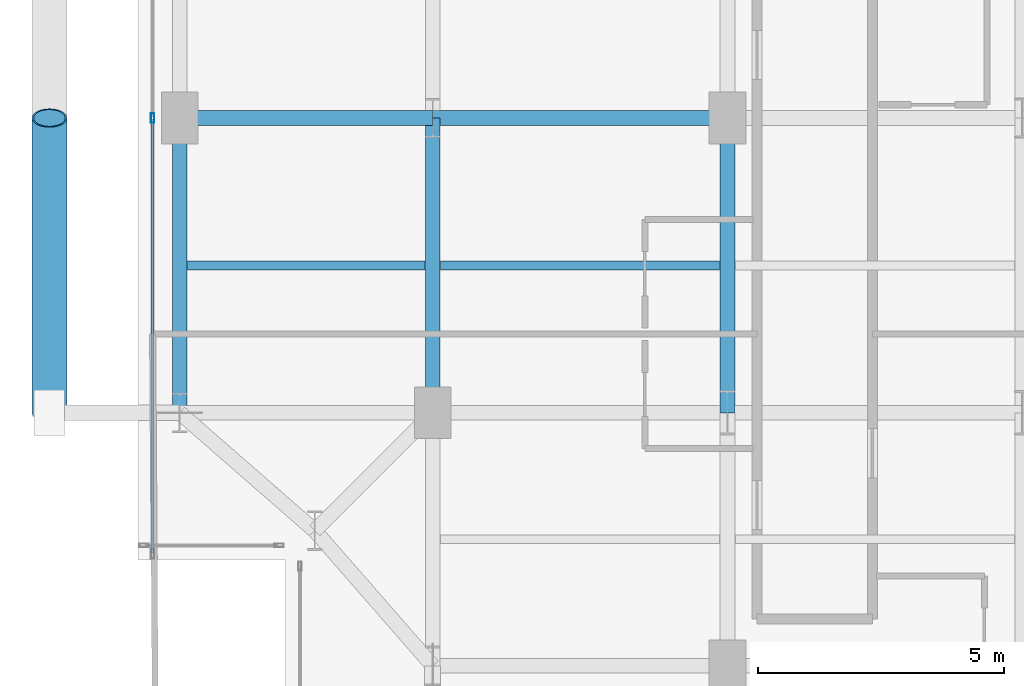
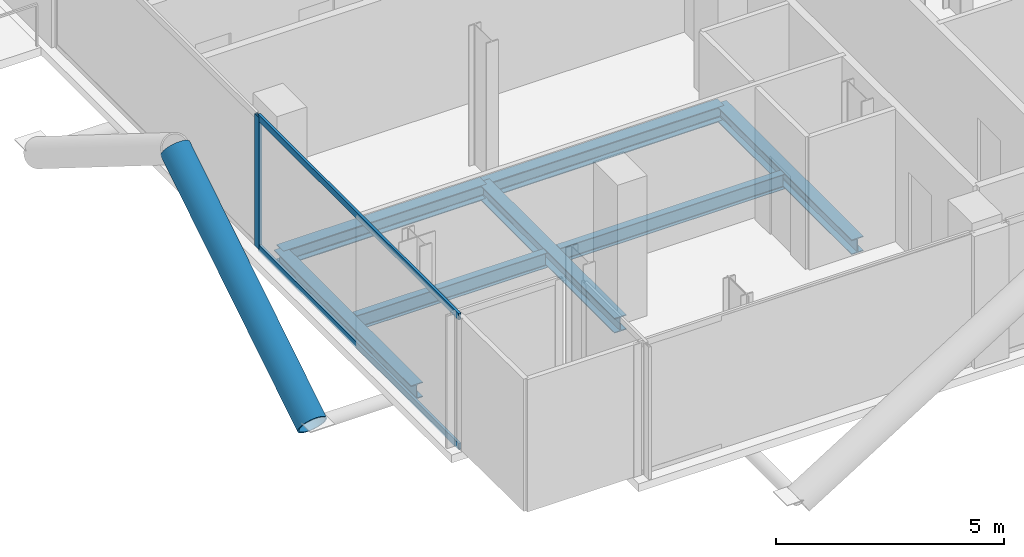
# One storey, part 3 of 25: 7 beams, 4 members, 1 element without a shape of its own.
"""IFC4 building model written with IfcOpenShell, lengths in metres."""

from ifc_helpers import new_model, si_unit, direction, frame, origin, origin_2d, place, context, subcontext, project, spatial, hollow_rectangle, hollow_circle, i_section, extrude, material, layer, layer_set, material_profile, profile_set, type_object, element, aggregate, save


model = new_model("IFC4")

# Units and contexts
model_context = context("Model", 3, precision=1e-05, world=origin(), true_north=direction((0.0, 1.0)))
body_context = subcontext(model_context, "Body", "Model", "MODEL_VIEW")
ifc_project = project(units=[si_unit("LENGTHUNIT", "METRE"), si_unit("AREAUNIT", "SQUARE_METRE"), si_unit("VOLUMEUNIT", "CUBIC_METRE"), si_unit("PLANEANGLEUNIT", "RADIAN"), si_unit("MASSUNIT", "GRAM", prefix="KILO"), si_unit("THERMODYNAMICTEMPERATUREUNIT", "KELVIN"), si_unit("POWERUNIT", "WATT")], contexts=[model_context])

# Site, building, storey
site_placement = place(None, origin())
site = spatial("IfcSite", under=ifc_project, at=site_placement, CompositionType="ELEMENT")
building_placement = place(site_placement, origin())
building = spatial("IfcBuilding", under=site, at=building_placement, Name="Svarakhadi Broadcast Tower", CompositionType="ELEMENT")
storey_placement = place(building_placement, frame((0.0, 0.0, 212.39990234375)))
storey = spatial("IfcBuildingStorey", under=building, at=storey_placement, Name="L52", CompositionType="ELEMENT", Elevation=212.39990234375)

# Beams
ifc_material_1 = material(Name="Steel S355J2 (IS 2062 E350C)", Category="steel")
ifc_material_profile_1 = material_profile(ifc_material_1, i_section(OverallWidth=0.179931640625, OverallDepth=0.39990234375, WebThickness=0.008544921875, FlangeThickness=0.013427734375, FilletRadius=0.02099609375, at=origin_2d()), Name="NPB 400x180x66")
ifc_profile_set_1 = profile_set([ifc_material_profile_1], Name="Steel S355J2 (IS 2062 E350C)")
beam_type_1 = type_object("IfcBeamType", Name="Beam_NPB400", PredefinedType="BEAM", material=ifc_profile_set_1)
beam_1_placement = place(storey_placement, frame((1.010009765625, 9.0, -0.409912109375), z_axis=(1.0, 0.0, 0.0), x_axis=(0.0, 1.0, 0.0)))
element("IfcBeam", 1, at=beam_1_placement, inside=storey, type_object=beam_type_1, Name="L52 Secondary Composite Beam SB001", PredefinedType="BEAM", context=body_context, shape_type="SweptSolid", body=[
    extrude(i_section(OverallWidth=0.179931640625, OverallDepth=0.39990234375, WebThickness=0.008544921875, FlangeThickness=0.013427734375, FilletRadius=0.02099609375, at=origin_2d()), origin(), (0.0, 0.0, 1.0), 4.830078125),
])
beam_2_placement = place(storey_placement, frame((6.159912109375, 9.0, -0.409912109375), z_axis=(1.0, 0.0, 0.0), x_axis=(0.0, 1.0, 0.0)))
element("IfcBeam", 2, at=beam_2_placement, inside=storey, type_object=beam_type_1, Name="L52 Secondary Composite Beam SB006", PredefinedType="BEAM", context=body_context, shape_type="SweptSolid", body=[
    extrude(i_section(OverallWidth=0.179931640625, OverallDepth=0.39990234375, WebThickness=0.008544921875, FlangeThickness=0.013427734375, FilletRadius=0.02099609375, at=origin_2d()), origin(), (0.0, 0.0, 1.0), 5.68017578125),
])

# Curtain wall, members
ifc_material_2 = material(Name="Anodised Bronze Aluminium AA 6063-T6", Category="aluminium")
ifc_layer = layer(ifc_material_2, 0.18994140625)
ifc_layer_set = layer_set([ifc_layer], Name="Anodised Bronze Aluminium AA 6063-T6")
curtain_wall_type = type_object("IfcCurtainWallType", Name="CW_Sys_04", PredefinedType="NOTDEFINED", material=ifc_layer_set)
curtain_wall_placement = place(storey_placement, origin())
curtain_wall = element("IfcCurtainWall", 3, at=curtain_wall_placement, inside=storey, type_object=curtain_wall_type, Name="L52 West Curtain Wall 02", PredefinedType="NOTDEFINED")
ifc_material_profile_2 = material_profile(ifc_material_2, hollow_rectangle(XDim=0.070068359375, YDim=0.18994140625, WallThickness=0.005615234375, at=origin_2d()), Name="ALU MULLION 190x70x6")
ifc_profile_set_2 = profile_set([ifc_material_profile_2], Name="Anodised Bronze Aluminium AA 6063-T6")
member_type_1 = type_object("IfcMemberType", Name="CW_Sys_04_Mul", PredefinedType="MULLION", material=ifc_profile_set_2)
member_1_placement = place(storey_placement, frame((0.300048828125, 12.0, 0.0), z_axis=(0.0, 0.0, 1.0), x_axis=(-1.0, 0.0, 0.0)))
member_1 = element("IfcMember", 4, at=member_1_placement, type_object=member_type_1, Name="CW-04 mullion 2", PredefinedType="MULLION", context=body_context, shape_type="SweptSolid", body=[
    extrude(hollow_rectangle(XDim=0.070068359375, YDim=0.18994140625, WallThickness=0.005615234375, at=origin_2d()), origin(), (0.0, 0.0, 1.0), 3.5400390625),
])
ifc_material_profile_3 = material_profile(ifc_material_2, hollow_rectangle(XDim=0.06494140625, YDim=0.175048828125, WallThickness=0.0048828125, at=origin_2d()), Name="ALU TRANSOM 175x65x5")
ifc_profile_set_3 = profile_set([ifc_material_profile_3], Name="Anodised Bronze Aluminium AA 6063-T6")
member_type_2 = type_object("IfcMemberType", Name="CW_Sys_04_Trn", PredefinedType="USERDEFINED", material=ifc_profile_set_3)
member_2_placement = place(storey_placement, frame((0.300048828125, 3.159912109375, 0.03271484375), z_axis=(0.0, 1.0, 0.0), x_axis=(-1.0, 0.0, 0.0)))
member_2 = element("IfcMember", 5, at=member_2_placement, type_object=member_type_2, Name="CW-04 transom 1.1", ObjectType="TRANSOM", PredefinedType="USERDEFINED", context=body_context, shape_type="SweptSolid", body=[
    extrude(hollow_rectangle(XDim=0.06494140625, YDim=0.175048828125, WallThickness=0.0048828125, at=origin_2d()), origin(), (0.0, 0.0, 1.0), 8.80517578125),
])
member_3_placement = place(storey_placement, frame((0.300048828125, 3.159912109375, 3.507568359375), z_axis=(0.0, 1.0, 0.0), x_axis=(-1.0, 0.0, 0.0)))
member_3 = element("IfcMember", 6, at=member_3_placement, type_object=member_type_2, Name="CW-04 transom 1.2", ObjectType="TRANSOM", PredefinedType="USERDEFINED", context=body_context, shape_type="SweptSolid", body=[
    extrude(hollow_rectangle(XDim=0.06494140625, YDim=0.175048828125, WallThickness=0.0048828125, at=origin_2d()), origin(), (0.0, 0.0, 1.0), 8.80517578125),
])
aggregate(curtain_wall, [member_1, member_2, member_3])

# Member
ifc_material_3 = material(Name="Steel S460ML (IS 2062 E450BR)", Category="steel")
ifc_material_profile_4 = material_profile(ifc_material_3, hollow_circle(Radius=0.35546875, WallThickness=0.034912109375, at=origin_2d()), Name="CHS 711x35")
ifc_profile_set_4 = profile_set([ifc_material_profile_4], Name="Steel S460ML (IS 2062 E450BR)")
member_type_3 = type_object("IfcMemberType", Name="Exo_Brace_CHS711", PredefinedType="BRACE", material=ifc_profile_set_4)
member_4_placement = place(storey_placement, frame((-1.800048828125, 6.0, -0.371826171875), z_axis=(0.0, 0.847998304005, 0.529998940003), x_axis=(-1.0, 0.0, 0.0)))
element("IfcMember", 7, at=member_4_placement, inside=storey, type_object=member_type_3, Name="L52 Exposed Bronze Exoskeleton Diagonal W04", PredefinedType="BRACE", context=body_context, shape_type="SweptSolid", body=[
    extrude(hollow_circle(Radius=0.35546875, WallThickness=0.034912109375, at=origin_2d()), origin(), (0.0, 0.0, 1.0), 7.075439453125),
])

# Beams
ifc_material_profile_5 = material_profile(ifc_material_1, i_section(OverallWidth=0.300048828125, OverallDepth=0.39990234375, WebThickness=0.013427734375, FlangeThickness=0.02392578125, FilletRadius=0.027099609375, at=origin_2d()), Name="WPB 400x300x155")
ifc_profile_set_5 = profile_set([ifc_material_profile_5], Name="Steel S355J2 (IS 2062 E350C)")
beam_type_2 = type_object("IfcBeamType", Name="Girder_WPB400", PredefinedType="USERDEFINED", material=ifc_profile_set_5)
beam_3_placement = place(storey_placement, frame((0.85009765625, 12.0, -0.409912109375), z_axis=(1.0, 0.0, 0.0), x_axis=(0.0, 1.0, 0.0)))
element("IfcBeam", 8, at=beam_3_placement, inside=storey, type_object=beam_type_2, Name="L52 Primary E-W Girder G015", ObjectType="GIRDER", PredefinedType="USERDEFINED", context=body_context, shape_type="SweptSolid", body=[
    extrude(i_section(OverallWidth=0.300048828125, OverallDepth=0.39990234375, WebThickness=0.013427734375, FlangeThickness=0.02392578125, FilletRadius=0.027099609375, at=origin_2d()), origin(), (0.0, 0.0, 1.0), 5.14990234375),
])
for number, where, z_axis, x_axis, name in (
    (9, (6.0, 12.0, -0.409912109375), (1.0, 0.0, 0.0), (0.0, 1.0, 0.0), "L52 Primary E-W Girder G016"),
    (10, (0.85009765625, 6.0, -0.409912109375), (0.0, 1.0, 0.0), (-1.0, 0.0, 0.0), "L52 Primary N-S Girder G033"),
    (11, (6.0, 6.0, -0.409912109375), (0.0, 1.0, 0.0), (-1.0, 0.0, 0.0), "L52 Primary N-S Girder G038"),
    (12, (12.0, 6.0, -0.409912109375), (0.0, 1.0, 0.0), (-1.0, 0.0, 0.0), "L52 Primary N-S Girder G043"),
):
    element("IfcBeam", number, at=place(storey_placement, frame(where, z_axis=z_axis, x_axis=x_axis)), inside=storey, type_object=beam_type_2, Name=name, ObjectType="GIRDER", PredefinedType="USERDEFINED", context=body_context, shape_type="SweptSolid", body=[
        extrude(i_section(OverallWidth=0.300048828125, OverallDepth=0.39990234375, WebThickness=0.013427734375, FlangeThickness=0.02392578125, FilletRadius=0.027099609375, at=origin_2d()), origin(), (0.0, 0.0, 1.0), 6.0),
    ])

save(model, "model.ifc")
